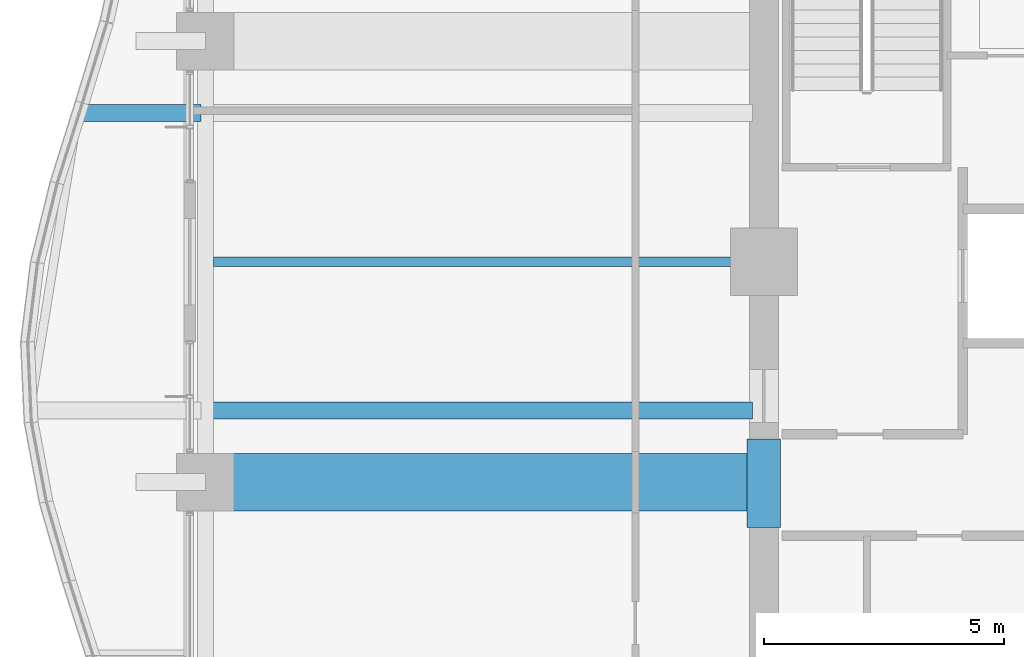
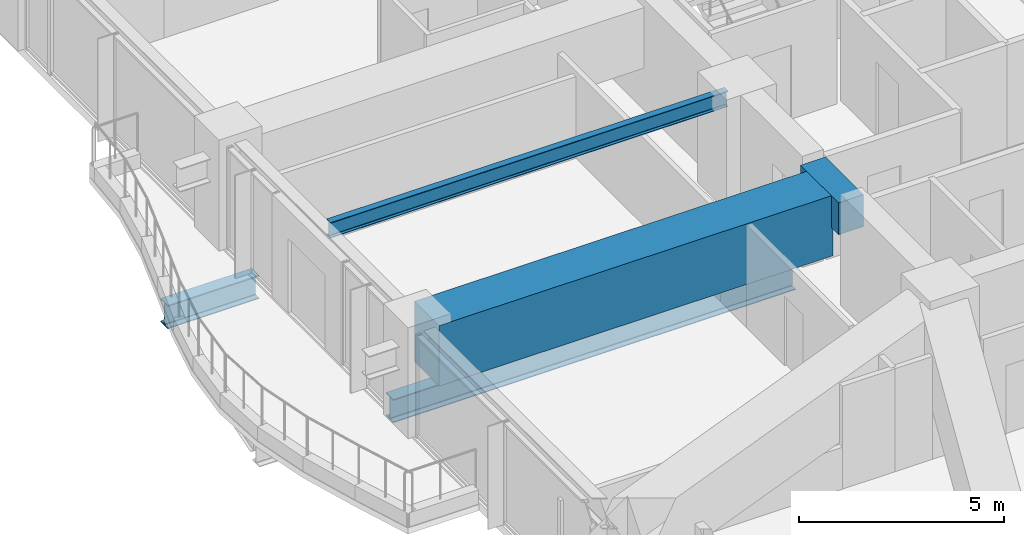
# One storey, part 9 of 39: 5 beams.
"""IFC4 building model written with IfcOpenShell, lengths in metres."""

import ifcopenshell
import ifcopenshell.guid

model = None  # the IFC model being written
_history = None  # IfcOwnerHistory: only IFC2X3 demands one
_inside = {}  # id of a spatial element -> (the spatial element, [elements in it])
_under = {}  # id of a project, library or spatial element -> (it, [spatial elements below it])
_declared = {}  # id of a project -> (the project, [libraries it declares])
_typed = {}  # id of a type object -> (the type object, [elements of that type])
_made_of = {}  # id of a material, layer set ... -> (it, [elements and type objects made of it])


def new_model(schema):
    """Start an empty IFC model of exactly this schema.

    Asked for "IFC4X3", IfcOpenShell would pick the latest addendum, in which some entities
    have other attributes; the version numbers below select the first issue.
    IFC2X3 requires an IfcOwnerHistory on every rooted entity: one is made here for all.
    """
    global model, _history
    if schema == "IFC4X3":
        model = ifcopenshell.file(schema_version=(4, 3, 0, 0))
    else:
        model = ifcopenshell.file(schema=schema)
    _inside.clear()
    _under.clear()
    _declared.clear()
    _typed.clear()
    _made_of.clear()
    _history = None
    if model.schema == "IFC2X3":
        org = make("IfcOrganization", Name="unknown")
        user = make(
            "IfcPersonAndOrganization",
            ThePerson=make("IfcPerson", FamilyName="unknown"),
            TheOrganization=org,
        )
        app = make(
            "IfcApplication",
            ApplicationDeveloper=org,
            Version="unknown",
            ApplicationFullName="unknown",
            ApplicationIdentifier="unknown",
        )
        _history = make(
            "IfcOwnerHistory",
            OwningUser=user,
            OwningApplication=app,
            ChangeAction="ADDED",
            CreationDate=0,
        )
    return model


def make(cls, **values):
    """One entity of the class cls with the attributes given. An attribute that is None is left unset."""
    return model.create_entity(
        cls, **{name: value for name, value in values.items() if value is not None}
    )


def rooted(cls, **values):
    """An entity with a GlobalId (a new one), such as an element, a storey or a relation."""
    return make(cls, GlobalId=ifcopenshell.guid.new(), OwnerHistory=_history, **values)


def si_unit(unit_type, name, prefix=None):
    """IfcSIUnit, for example si_unit("LENGTHUNIT", "METRE", prefix="MILLI")."""
    return make("IfcSIUnit", UnitType=unit_type, Prefix=prefix, Name=name)


def assignment(units):
    """IfcUnitAssignment: the units of a project."""
    return None if units is None else make("IfcUnitAssignment", Units=units)


def point(xyz):
    """IfcCartesianPoint."""
    return None if xyz is None else make("IfcCartesianPoint", Coordinates=xyz)


def direction(xyz):
    """IfcDirection."""
    return None if xyz is None else make("IfcDirection", DirectionRatios=xyz)


def frame(location, z_axis=None, x_axis=None):
    """IfcAxis2Placement3D, a coordinate frame: its origin and axes. An axis left out is left unset."""
    return make(
        "IfcAxis2Placement3D",
        Location=point(location),
        Axis=direction(z_axis),
        RefDirection=direction(x_axis),
    )


def frame_2d(location, x_axis=None):
    """IfcAxis2Placement2D, a coordinate frame in the plane: its origin and x axis."""
    return make(
        "IfcAxis2Placement2D", Location=point(location), RefDirection=direction(x_axis)
    )


def origin():
    """The frame at (0, 0, 0) with its axes left unset."""
    return frame((0.0, 0.0, 0.0))


def origin_2d():
    """The frame at (0, 0) in the plane with its x axis left unset."""
    return frame_2d((0.0, 0.0))


def place(relative_to, where):
    """IfcLocalPlacement: puts the frame where relative to a parent placement (None: the world)."""
    return make(
        "IfcLocalPlacement", PlacementRelTo=relative_to, RelativePlacement=where
    )


def context(
    kind, dimensions, precision=None, world=None, true_north=None, identifier=None
):
    """IfcGeometricRepresentationContext, for example the 3D "Model" context."""
    return make(
        "IfcGeometricRepresentationContext",
        ContextIdentifier=identifier,
        ContextType=kind,
        CoordinateSpaceDimension=dimensions,
        Precision=precision,
        WorldCoordinateSystem=world,
        TrueNorth=true_north,
    )


def subcontext(parent, identifier, kind, view, scale=None):
    """IfcGeometricRepresentationSubContext, for example "Body" below "Model"."""
    return make(
        "IfcGeometricRepresentationSubContext",
        ContextIdentifier=identifier,
        ContextType=kind,
        ParentContext=parent,
        TargetScale=scale,
        TargetView=view,
    )


def project(units=None, contexts=None):
    """IfcProject with its units and contexts."""
    return rooted(
        "IfcProject",
        Name="project",
        RepresentationContexts=contexts,
        UnitsInContext=assignment(units),
    )


def spatial(cls, under=None, at=None, **own):
    """A site, building, storey or space (cls), placed at a placement, below another one or the project."""
    s = rooted(cls, ObjectPlacement=at, **own)
    if under is not None:
        _under.setdefault(under.id(), (under, []))[1].append(s)
    return s


def profile(cls, at=None, kind="AREA", **sizes):
    """A parametric profile (cls). Its sizes go by their IFC names, for example OverallWidth=200.0."""
    return make(cls, ProfileType=kind, Position=at, **sizes)


def rectangle(**sizes):
    """IfcRectangleProfileDef."""
    return profile("IfcRectangleProfileDef", **sizes)


def i_section(**sizes):
    """IfcIShapeProfileDef."""
    return profile("IfcIShapeProfileDef", **sizes)


def extrude(swept, where, along, depth):
    """IfcExtrudedAreaSolid: the profile swept, set in the frame where, extruded along a direction by depth."""
    return make(
        "IfcExtrudedAreaSolid",
        SweptArea=swept,
        Position=where,
        ExtrudedDirection=direction(along),
        Depth=depth,
    )


def shape(context_of_items, identifier, shape_type, items):
    """IfcShapeRepresentation: the items that make up one representation, for example the "Body"."""
    return make(
        "IfcShapeRepresentation",
        ContextOfItems=context_of_items,
        RepresentationIdentifier=identifier,
        RepresentationType=shape_type,
        Items=items,
    )


def material(Name=None, Category=None):
    """IfcMaterial."""
    return make("IfcMaterial", Name=Name, Category=Category)


def material_profile(
    of_material, cross_section, Name=None, Category=None, Priority=None
):
    """IfcMaterialProfile: a cross section and its material."""
    return make(
        "IfcMaterialProfile",
        Name=Name,
        Material=of_material,
        Profile=cross_section,
        Priority=Priority,
        Category=Category,
    )


def profile_set(profiles, Name=None, composite=None):
    """IfcMaterialProfileSet."""
    return make(
        "IfcMaterialProfileSet",
        Name=Name,
        MaterialProfiles=profiles,
        CompositeProfile=composite,
    )


def made_of(thing, what):
    """Note that an element or type object is made of a material, layer set ...; save() writes the relation."""
    if what is not None:
        _made_of.setdefault(what.id(), (what, []))[1].append(thing)
    return thing


def type_object(cls, material=None, **own):
    """A type object (cls), such as IfcWallType, which elements share."""
    return made_of(rooted(cls, **own), material)


def element(
    cls,
    number,
    at=None,
    inside=None,
    cuts=None,
    type_object=None,
    material=None,
    context=None,
    identifier="Body",
    shape_type=None,
    held_by="IfcProductDefinitionShape",
    body=None,
    shapes=None,
    **own,
):
    """One element of the class cls, such as IfcWall. Its Tag is "e" and its number.

    at: its placement. inside: the storey or other place that contains it. cuts: it is an
    opening in that element (IfcRelVoidsElement). A single representation is given by context,
    identifier, shape_type and body (its items); several are given by shapes. held_by: the class
    of the entity that holds the representations. save() writes the other relations.
    """
    e = rooted(cls, Tag="e%d" % number, ObjectPlacement=at, **own)
    if body is not None:
        shapes = [shape(context, identifier, shape_type, body)]
    if shapes is not None:
        e.Representation = make(held_by, Representations=shapes)
    if inside is not None:
        _inside.setdefault(inside.id(), (inside, []))[1].append(e)
    if cuts is not None:
        rooted(
            "IfcRelVoidsElement", RelatingBuildingElement=cuts, RelatedOpeningElement=e
        )
    if type_object is not None:
        _typed.setdefault(type_object.id(), (type_object, []))[1].append(e)
    return made_of(e, material)


def aggregate(whole, parts):
    """IfcRelAggregates: a whole, such as a stair, and the parts it consists of."""
    return rooted("IfcRelAggregates", RelatingObject=whole, RelatedObjects=parts)


def save(model, path):
    """Write the relations noted so far, then the file.

    IfcRelAggregates (storeys below a building ...), IfcRelContainedInSpatialStructure (elements
    in a storey), IfcRelDefinesByType, IfcRelAssociatesMaterial and IfcRelDeclares: one each for
    every whole, place, type object, material and project.
    """
    for whole, parts in _under.values():
        aggregate(whole, parts)
    for where, things in _inside.values():
        rooted(
            "IfcRelContainedInSpatialStructure",
            RelatedElements=things,
            RelatingStructure=where,
        )
    for kind, things in _typed.values():
        rooted("IfcRelDefinesByType", RelatedObjects=things, RelatingType=kind)
    for what, things in _made_of.values():
        rooted("IfcRelAssociatesMaterial", RelatedObjects=things, RelatingMaterial=what)
    for by, libraries in _declared.values():
        rooted("IfcRelDeclares", RelatingContext=by, RelatedDefinitions=libraries)
    model.write(path)


model = new_model("IFC4")

# Units and contexts
model_context = context("Model", 3, precision=1e-05, world=origin(), true_north=direction((0.0, 1.0)))
body_context = subcontext(model_context, "Body", "Model", "MODEL_VIEW")
ifc_project = project(units=[si_unit("LENGTHUNIT", "METRE"), si_unit("AREAUNIT", "SQUARE_METRE"), si_unit("VOLUMEUNIT", "CUBIC_METRE"), si_unit("PLANEANGLEUNIT", "RADIAN"), si_unit("MASSUNIT", "GRAM", prefix="KILO")], contexts=[model_context])

# Site, building, storey
site_placement = place(None, origin())
site = spatial("IfcSite", under=ifc_project, at=site_placement, CompositionType="ELEMENT")
building_placement = place(site_placement, origin())
building = spatial("IfcBuilding", under=site, at=building_placement, Name="Kolvaren Belvedere", CompositionType="ELEMENT")
storey_placement = place(building_placement, frame((0.0, 0.0, 40.300048828125)))
storey = spatial("IfcBuildingStorey", under=building, at=storey_placement, Name="L11", CompositionType="ELEMENT", Elevation=40.300048828125)

# Beams
ifc_material_1 = material(Name="Structural steel ASTM A992 Grade 50", Category="steel")
ifc_material_profile_1 = material_profile(ifc_material_1, i_section(OverallWidth=0.35498046875, OverallDepth=0.696044921875, WebThickness=0.015380859375, FlangeThickness=0.02490234375, FilletRadius=0.02197265625, at=origin_2d()), Name="W27X146")
ifc_profile_set_1 = profile_set([ifc_material_profile_1], Name="Structural steel ASTM A992 Grade 50")
beam_type_1 = type_object("IfcBeamType", Name="BM-CANT-BAL", PredefinedType="BEAM", material=ifc_profile_set_1)
beam_1_placement = place(storey_placement, frame((-21.64501953125, 3.10009765625, -0.588134765625), z_axis=(-1.0, 0.0, 0.0), x_axis=(0.0, -1.0, 0.0)))
element("IfcBeam", 1, at=beam_1_placement, inside=storey, type_object=beam_type_1, Name="L11 Planted Balcony Cantilever BAL-W-2", PredefinedType="BEAM", context=body_context, shape_type="SweptSolid", body=[
    extrude(i_section(OverallWidth=0.35498046875, OverallDepth=0.696044921875, WebThickness=0.015380859375, FlangeThickness=0.02490234375, FilletRadius=0.02197265625, at=origin_2d()), origin(), (0.0, 0.0, 1.0), 2.56884765625),
])
ifc_material_2 = material(Name="Structural steel ASTM A992 Grade 50", Category="steel")
ifc_material_profile_2 = material_profile(ifc_material_2, i_section(OverallWidth=0.35498046875, OverallDepth=0.696044921875, WebThickness=0.015380859375, FlangeThickness=0.02490234375, FilletRadius=0.02197265625, at=origin_2d()), Name="W27X146")
ifc_profile_set_2 = profile_set([ifc_material_profile_2], Name="Structural steel ASTM A992 Grade 50")
beam_type_2 = type_object("IfcBeamType", Name="BM-GIRD-W27X146", PredefinedType="BEAM", material=ifc_profile_set_2)
beam_2_placement = place(storey_placement, frame((-10.139892578125, -3.10009765625, -0.588134765625), z_axis=(-1.0, 0.0, 0.0), x_axis=(0.0, -1.0, 0.0)))
element("IfcBeam", 2, at=beam_2_placement, inside=storey, type_object=beam_type_2, Name="L11 Balcony Interior Back-Span Girder BAL-W-1", PredefinedType="BEAM", context=body_context, shape_type="SweptSolid", body=[
    extrude(i_section(OverallWidth=0.35498046875, OverallDepth=0.696044921875, WebThickness=0.015380859375, FlangeThickness=0.02490234375, FilletRadius=0.02197265625, at=origin_2d()), origin(), (0.0, 0.0, 1.0), 11.315185546875),
])
ifc_material_3 = material(Name="Structural steel ASTM A992 Grade 50", Category="steel")
ifc_material_profile_3 = material_profile(ifc_material_3, i_section(OverallWidth=0.19091796875, OverallDepth=0.4599609375, WebThickness=0.010009765625, FlangeThickness=0.01611328125, FilletRadius=0.014892578125, at=origin_2d()), Name="W18X55")
ifc_profile_set_3 = profile_set([ifc_material_profile_3], Name="Structural steel ASTM A992 Grade 50")
beam_type_3 = type_object("IfcBeamType", Name="BM-JOIST-W18X55", PredefinedType="BEAM", material=ifc_profile_set_3)
beam_3_placement = place(storey_placement, frame((-10.199951171875, 0.0, 2.829833984375), z_axis=(-1.0, 0.0, 0.0), x_axis=(0.0, -1.0, 0.0)))
element("IfcBeam", 3, at=beam_3_placement, inside=storey, type_object=beam_type_3, Name="L11 West Centre Floor Beam", PredefinedType="BEAM", context=body_context, shape_type="SweptSolid", body=[
    extrude(i_section(OverallWidth=0.19091796875, OverallDepth=0.4599609375, WebThickness=0.010009765625, FlangeThickness=0.01611328125, FilletRadius=0.014892578125, at=origin_2d()), origin(), (0.0, 0.0, 1.0), 11.1875),
])
ifc_material_4 = material(Name="Concrete C60/75", Category="concrete")
ifc_material_profile_4 = material_profile(ifc_material_4, rectangle(XDim=0.699951171875, YDim=0.949951171875, at=origin_2d()), Name="RC 700X950")
ifc_profile_set_4 = profile_set([ifc_material_profile_4], Name="Concrete C60/75")
beam_type_4 = type_object("IfcBeamType", Name="BM-LINT-950", PredefinedType="LINTEL", material=ifc_profile_set_4)
beam_4_placement = place(storey_placement, frame((-9.89990234375, -5.550048828125, 2.5849609375), z_axis=(0.0, 1.0, 0.0), x_axis=(-1.0, 0.0, 0.0)))
element("IfcBeam", 4, at=beam_4_placement, inside=storey, type_object=beam_type_4, Name="L11 West Core Coupling Lintel", PredefinedType="LINTEL", context=body_context, shape_type="SweptSolid", body=[
    extrude(rectangle(XDim=0.699951171875, YDim=0.949951171875, at=origin_2d()), origin(), (0.0, 0.0, 1.0), 1.85009765625),
])
ifc_material_5 = material(Name="Concrete C50/60", Category="concrete")
ifc_material_profile_5 = material_profile(ifc_material_5, rectangle(XDim=1.199951171875, YDim=1.800048828125, at=origin_2d()), Name="RC 1200X1800")
ifc_profile_set_5 = profile_set([ifc_material_profile_5], Name="Concrete C50/60")
beam_type_5 = type_object("IfcBeamType", Name="BM-TG-1800", PredefinedType="BEAM", material=ifc_profile_set_5)
beam_5_placement = place(storey_placement, frame((-10.199951171875, -4.60009765625, 2.159912109375), z_axis=(-1.0, 0.0, 0.0), x_axis=(0.0, -1.0, 0.0)))
element("IfcBeam", 5, at=beam_5_placement, inside=storey, type_object=beam_type_5, Name="L11 West Radial Girder M", PredefinedType="BEAM", context=body_context, shape_type="SweptSolid", body=[
    extrude(rectangle(XDim=1.199951171875, YDim=1.800048828125, at=origin_2d()), origin(), (0.0, 0.0, 1.0), 11.080078125),
])

save(model, "model.ifc")
